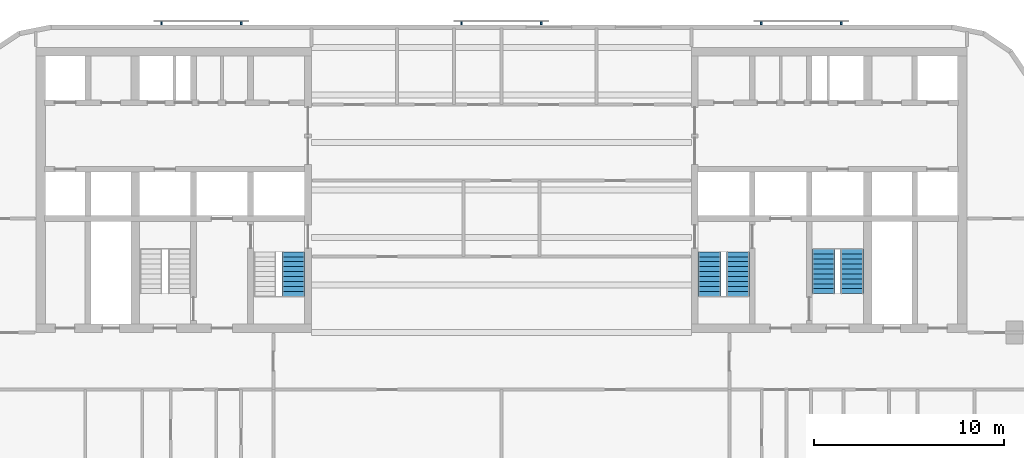
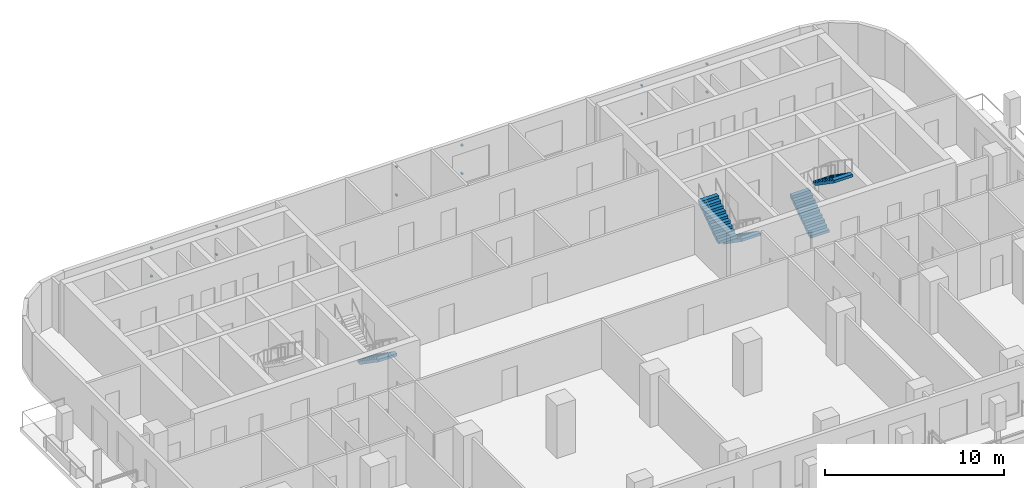
# One storey, part 8 of 11: 12 discrete accessories, 5 stair flights, 3 elements without a shape of their own.
"""IFC4 building model written with IfcOpenShell, lengths in metres."""

from ifc_helpers import new_model, si_unit, direction, frame, origin, origin_2d, place, context, subcontext, project, spatial, polyline, rectangle, outline, extrude, material, type_object, element, aggregate, save


model = new_model("IFC4")

# Units and contexts
model_context = context("Model", 3, precision=1e-05, world=origin(), true_north=direction((0.0, 1.0)))
body_context = subcontext(model_context, "Body", "Model", "MODEL_VIEW")
ifc_project = project(units=[si_unit("LENGTHUNIT", "METRE"), si_unit("AREAUNIT", "SQUARE_METRE"), si_unit("VOLUMEUNIT", "CUBIC_METRE"), si_unit("PLANEANGLEUNIT", "RADIAN"), si_unit("MASSUNIT", "GRAM", prefix="KILO")], contexts=[model_context])

# Site, building, storey
site_placement = place(None, origin())
site = spatial("IfcSite", under=ifc_project, at=site_placement, CompositionType="ELEMENT")
building_placement = place(site_placement, origin())
building = spatial("IfcBuilding", under=site, at=building_placement, Name="Torana Hotel and Residences", CompositionType="ELEMENT")
storey_placement = place(building_placement, frame((0.0, 0.0, 127.199951171875)))
storey = spatial("IfcBuildingStorey", under=building, at=storey_placement, Name="L32", CompositionType="ELEMENT", Elevation=127.199951171875)

# Stair, stair flight
ifc_material_1 = material(Name="Concrete C40/50 precast", Category="concrete")
stair_type_1 = type_object("IfcStairType", Name="STAIR ST1 HALF TURN 1200", PredefinedType="HALF_TURN_STAIR", material=ifc_material_1)
stair_1_placement = place(storey_placement, origin())
stair_1 = element("IfcStair", 1, at=stair_1_placement, inside=storey, type_object=stair_type_1, Name="Stair ST1 L32", PredefinedType="HALF_TURN_STAIR")
ifc_material_2 = material(Name="Concrete C40/50 precast", Category="concrete")
stair_flight_type = type_object("IfcStairFlightType", Name="STAIR FLIGHT 1200 PRECAST", PredefinedType="STRAIGHT", material=ifc_material_2)
stair_flight_1_placement = place(storey_placement, frame((-10.949951171875, -10.75, 0.0), z_axis=(0.0, 0.0, 1.0), x_axis=(0.0, -1.0, 0.0)))
stair_flight_1 = element("IfcStairFlight", 2, at=stair_flight_1_placement, type_object=stair_flight_type, Name="ST1 flight 1", NumberOfRisers=10, NumberOfTreads=9, PredefinedType="STRAIGHT", RiserHeight=0.18, TreadLength=0.26, context=body_context, shape_type="SweptSolid", body=[
    extrude(outline(polyline([(0.0, 0.0), (0.0, 0.179931640625), (0.260009765625, 0.179931640625), (0.260009765625, 0.360107421875), (0.52001953125, 0.360107421875), (0.52001953125, 0.5400390625), (0.780029296875, 0.5400390625), (0.780029296875, 0.719970703125), (1.0400390625, 0.719970703125), (1.0400390625, 0.89990234375), (1.300048828125, 0.89990234375), (1.300048828125, 1.080078125), (1.56005859375, 1.080078125), (1.56005859375, 1.260009765625), (1.820068359375, 1.260009765625), (1.820068359375, 1.43994140625), (2.080078125, 1.43994140625), (2.080078125, 1.6201171875), (2.340087890625, 1.6201171875), (2.340087890625, 1.800048828125), (2.340087890625, 1.437744140625), (0.263427734375, 0.0), (0.0, 0.0)])), frame((0.0, 0.60009765625, 0.0), z_axis=(0.0, -1.0, 0.0), x_axis=(1.0, 0.0, 0.0)), (0.0, 0.0, 1.0), 1.199951171875),
])
aggregate(stair_1, [stair_flight_1])

# Stair, stair flights
ifc_material_3 = material(Name="Concrete C40/50 precast", Category="concrete")
stair_type_2 = type_object("IfcStairType", Name="STAIR ST3 HALF TURN 1200", PredefinedType="HALF_TURN_STAIR", material=ifc_material_3)
stair_2_placement = place(storey_placement, origin())
stair_2 = element("IfcStair", 3, at=stair_2_placement, inside=storey, type_object=stair_type_2, Name="Stair ST3 L32", PredefinedType="HALF_TURN_STAIR")
stair_flight_2_placement = place(storey_placement, frame((12.449951171875, -10.75, 0.0), z_axis=(0.0, 0.0, 1.0), x_axis=(0.0, -1.0, 0.0)))
stair_flight_2 = element("IfcStairFlight", 4, at=stair_flight_2_placement, type_object=stair_flight_type, Name="ST3 flight 1", NumberOfRisers=10, NumberOfTreads=9, PredefinedType="STRAIGHT", RiserHeight=0.18, TreadLength=0.26, context=body_context, shape_type="SweptSolid", body=[
    extrude(outline(polyline([(0.0, 0.0), (0.0, 0.179931640625), (0.260009765625, 0.179931640625), (0.260009765625, 0.360107421875), (0.52001953125, 0.360107421875), (0.52001953125, 0.5400390625), (0.780029296875, 0.5400390625), (0.780029296875, 0.719970703125), (1.0400390625, 0.719970703125), (1.0400390625, 0.89990234375), (1.300048828125, 0.89990234375), (1.300048828125, 1.080078125), (1.56005859375, 1.080078125), (1.56005859375, 1.260009765625), (1.820068359375, 1.260009765625), (1.820068359375, 1.43994140625), (2.080078125, 1.43994140625), (2.080078125, 1.6201171875), (2.340087890625, 1.6201171875), (2.340087890625, 1.800048828125), (2.340087890625, 1.437744140625), (0.263427734375, 0.0), (0.0, 0.0)])), frame((0.0, 0.60009765625, 0.0), z_axis=(0.0, -1.0, 0.0), x_axis=(1.0, 0.0, 0.0)), (0.0, 0.0, 1.0), 1.199951171875),
])
stair_flight_3_placement = place(storey_placement, frame((10.949951171875, -13.090087890625, 1.800048828125), z_axis=(0.0, 0.0, 1.0), x_axis=(0.0, 1.0, 0.0)))
stair_flight_3 = element("IfcStairFlight", 5, at=stair_flight_3_placement, type_object=stair_flight_type, Name="ST3 flight 2", NumberOfRisers=10, NumberOfTreads=9, PredefinedType="STRAIGHT", RiserHeight=0.18, TreadLength=0.26, context=body_context, shape_type="SweptSolid", body=[
    extrude(outline(polyline([(0.0, 0.0), (0.0, 0.179931640625), (0.260009765625, 0.179931640625), (0.260009765625, 0.360107421875), (0.52001953125, 0.360107421875), (0.52001953125, 0.5400390625), (0.780029296875, 0.5400390625), (0.780029296875, 0.719970703125), (1.0400390625, 0.719970703125), (1.0400390625, 0.89990234375), (1.300048828125, 0.89990234375), (1.300048828125, 1.080078125), (1.56005859375, 1.080078125), (1.56005859375, 1.260009765625), (1.820068359375, 1.260009765625), (1.820068359375, 1.43994140625), (2.080078125, 1.43994140625), (2.080078125, 1.6201171875), (2.340087890625, 1.6201171875), (2.340087890625, 1.800048828125), (2.340087890625, 1.437744140625), (0.263427734375, 0.0), (0.0, 0.0)])), frame((0.0, 0.60009765625, 0.0), z_axis=(0.0, -1.0, 0.0), x_axis=(1.0, 0.0, 0.0)), (0.0, 0.0, 1.0), 1.199951171875),
])
aggregate(stair_2, [stair_flight_2, stair_flight_3])

ifc_material_4 = material(Name="Concrete C40/50 precast", Category="concrete")
stair_type_3 = type_object("IfcStairType", Name="STAIR ST4 HALF TURN 1200", PredefinedType="HALF_TURN_STAIR", material=ifc_material_4)
stair_3_placement = place(storey_placement, origin())
stair_3 = element("IfcStair", 6, at=stair_3_placement, inside=storey, type_object=stair_type_3, Name="Stair ST4 L32", PredefinedType="HALF_TURN_STAIR")
stair_flight_4_placement = place(storey_placement, frame((16.949951171875, -12.949951171875, 0.0), z_axis=(0.0, 0.0, 1.0), x_axis=(0.0, 1.0, 0.0)))
stair_flight_4 = element("IfcStairFlight", 7, at=stair_flight_4_placement, type_object=stair_flight_type, Name="ST4 flight 1", NumberOfRisers=10, NumberOfTreads=9, PredefinedType="STRAIGHT", RiserHeight=0.18, TreadLength=0.26, context=body_context, shape_type="SweptSolid", body=[
    extrude(outline(polyline([(0.0, 0.0), (0.0, 0.179931640625), (0.260009765625, 0.179931640625), (0.260009765625, 0.360107421875), (0.52001953125, 0.360107421875), (0.52001953125, 0.5400390625), (0.780029296875, 0.5400390625), (0.780029296875, 0.719970703125), (1.0400390625, 0.719970703125), (1.0400390625, 0.89990234375), (1.300048828125, 0.89990234375), (1.300048828125, 1.080078125), (1.56005859375, 1.080078125), (1.56005859375, 1.260009765625), (1.820068359375, 1.260009765625), (1.820068359375, 1.43994140625), (2.080078125, 1.43994140625), (2.080078125, 1.6201171875), (2.340087890625, 1.6201171875), (2.340087890625, 1.800048828125), (2.340087890625, 1.437744140625), (0.263427734375, 0.0), (0.0, 0.0)])), frame((0.0, 0.60009765625, 0.0), z_axis=(0.0, -1.0, 0.0), x_axis=(1.0, 0.0, 0.0)), (0.0, 0.0, 1.0), 1.199951171875),
])
stair_flight_5_placement = place(storey_placement, frame((18.449951171875, -10.610107421875, 1.800048828125), z_axis=(0.0, 0.0, 1.0), x_axis=(0.0, -1.0, 0.0)))
stair_flight_5 = element("IfcStairFlight", 8, at=stair_flight_5_placement, type_object=stair_flight_type, Name="ST4 flight 2", NumberOfRisers=10, NumberOfTreads=9, PredefinedType="STRAIGHT", RiserHeight=0.18, TreadLength=0.26, context=body_context, shape_type="SweptSolid", body=[
    extrude(outline(polyline([(0.0, 0.0), (0.0, 0.179931640625), (0.260009765625, 0.179931640625), (0.260009765625, 0.360107421875), (0.52001953125, 0.360107421875), (0.52001953125, 0.5400390625), (0.780029296875, 0.5400390625), (0.780029296875, 0.719970703125), (1.0400390625, 0.719970703125), (1.0400390625, 0.89990234375), (1.300048828125, 0.89990234375), (1.300048828125, 1.080078125), (1.56005859375, 1.080078125), (1.56005859375, 1.260009765625), (1.820068359375, 1.260009765625), (1.820068359375, 1.43994140625), (2.080078125, 1.43994140625), (2.080078125, 1.6201171875), (2.340087890625, 1.6201171875), (2.340087890625, 1.800048828125), (2.340087890625, 1.437744140625), (0.263427734375, 0.0), (0.0, 0.0)])), frame((0.0, 0.60009765625, 0.0), z_axis=(0.0, -1.0, 0.0), x_axis=(1.0, 0.0, 0.0)), (0.0, 0.0, 1.0), 1.199951171875),
])
aggregate(stair_3, [stair_flight_4, stair_flight_5])

# Discrete accessories
ifc_material_5 = material(Name="Steel S355", Category="steel")
discrete_accessory_type = type_object("IfcDiscreteAccessoryType", Name="SCREEN BRACKET 100", PredefinedType="BRACKET", material=ifc_material_5)
for number, where, z_axis, x_axis, name in (
    (9, (17.883544921875, 1.27490234375, 0.75), (0.0, 0.0, 1.0), (-1.0, 0.0, 0.0), "Screen bracket L32"),
    (10, (17.883544921875, 1.27490234375, 2.669921875), (0.0, 0.0, 1.0), (-1.0, 0.0, 0.0), "Screen bracket L32"),
    (11, (13.68359375, 1.27490234375, 0.75), (0.0, 0.0, 1.0), (-1.0, 0.0, 0.0), "Screen bracket L32"),
    (12, (13.68359375, 1.27490234375, 2.669921875), (0.0, 0.0, 1.0), (-1.0, 0.0, 0.0), "Screen bracket L32"),
    (13, (2.10009765625, 1.27490234375, 0.75), (0.0, 0.0, 1.0), (-1.0, 0.0, 0.0), "Screen bracket L32"),
    (14, (2.10009765625, 1.27490234375, 2.669921875), (0.0, 0.0, 1.0), (-1.0, 0.0, 0.0), "Screen bracket L32"),
    (15, (-2.10009765625, 1.27490234375, 0.75), (0.0, 0.0, 1.0), (-1.0, 0.0, 0.0), "Screen bracket L32"),
    (16, (-2.10009765625, 1.27490234375, 2.669921875), (0.0, 0.0, 1.0), (-1.0, 0.0, 0.0), "Screen bracket L32"),
    (17, (-13.68359375, 1.27490234375, 0.75), (0.0, 0.0, 1.0), (-1.0, 0.0, 0.0), "Screen bracket L32"),
    (18, (-13.68359375, 1.27490234375, 2.669921875), (0.0, 0.0, 1.0), (-1.0, 0.0, 0.0), "Screen bracket L32"),
    (19, (-17.883544921875, 1.27490234375, 0.75), (0.0, 0.0, 1.0), (-1.0, 0.0, 0.0), "Screen bracket L32"),
    (20, (-17.883544921875, 1.27490234375, 2.669921875), (0.0, 0.0, 1.0), (-1.0, 0.0, 0.0), "Screen bracket L32"),
):
    element("IfcDiscreteAccessory", number, at=place(storey_placement, frame(where, z_axis=z_axis, x_axis=x_axis)), inside=storey, type_object=discrete_accessory_type, Name=name, PredefinedType="BRACKET", context=body_context, shape_type="SweptSolid", body=[
        extrude(rectangle(XDim=0.10009765625, YDim=0.14990234375, at=origin_2d()), origin(), (0.0, 0.0, 1.0), 0.10009765625),
    ])

save(model, "model.ifc")
